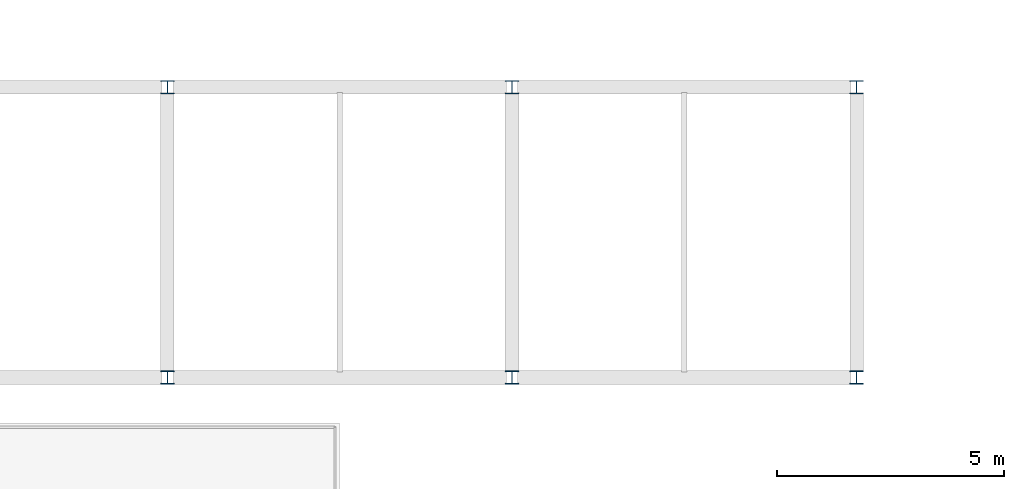
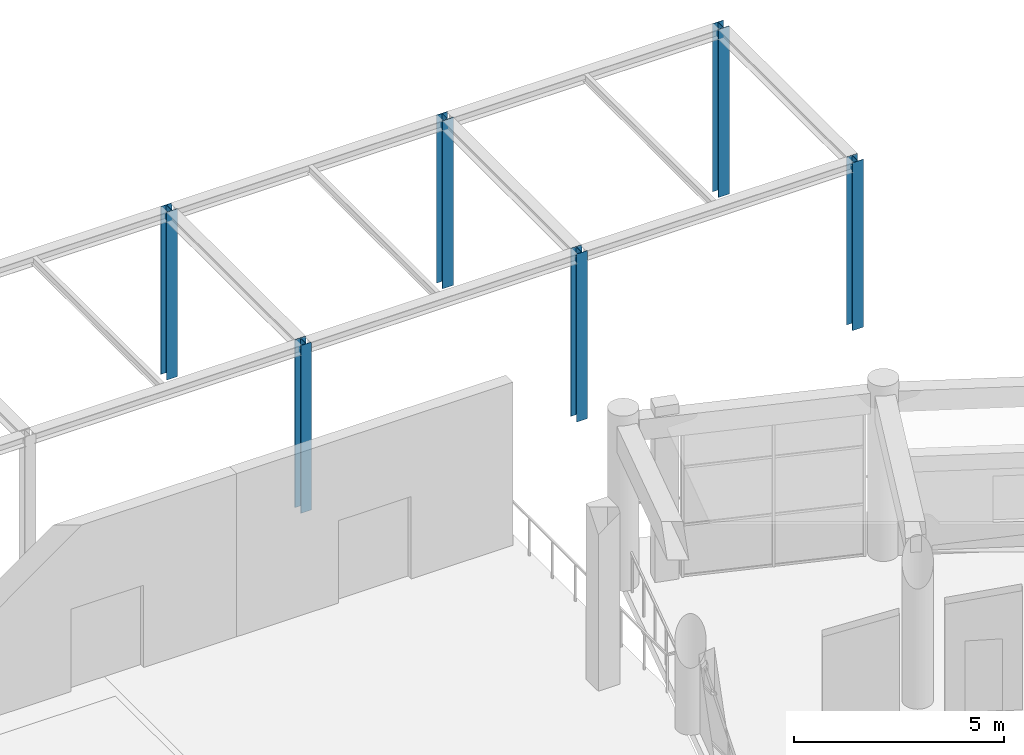
# One storey, part 18 of 99: 6 columns.
"""IFC4 building model written with IfcOpenShell, lengths in metres."""

from ifc_helpers import new_model, si_unit, direction, frame, origin, origin_2d, place, context, subcontext, project, spatial, i_section, extrude, material, material_profile, profile_set, type_object, element, save


model = new_model("IFC4")

# Units and contexts
model_context = context("Model", 3, precision=1e-05, world=origin(), true_north=direction((0.0, 1.0)))
body_context = subcontext(model_context, "Body", "Model", "MODEL_VIEW")
ifc_project = project(units=[si_unit("LENGTHUNIT", "METRE"), si_unit("AREAUNIT", "SQUARE_METRE"), si_unit("VOLUMEUNIT", "CUBIC_METRE"), si_unit("PLANEANGLEUNIT", "RADIAN"), si_unit("MASSUNIT", "GRAM", prefix="KILO")], contexts=[model_context])

# Site, building, storey
site_placement = place(None, origin())
site = spatial("IfcSite", under=ifc_project, at=site_placement, CompositionType="ELEMENT")
building_placement = place(site_placement, origin())
building = spatial("IfcBuilding", under=site, at=building_placement, Name="Saryqyr Civic Hall", CompositionType="ELEMENT")
storey_placement = place(building_placement, origin())
storey = spatial("IfcBuildingStorey", under=building, at=storey_placement, Name="L00", CompositionType="ELEMENT", Elevation=0.0)

# Columns
ifc_material = material(Name="Steel S355", Category="steel")
ifc_material_profile = material_profile(ifc_material, i_section(OverallWidth=0.300048828125, OverallDepth=0.2900390625, WebThickness=0.008544921875, FlangeThickness=0.013916015625, at=origin_2d()), Name="HEA 300")
ifc_profile_set = profile_set([ifc_material_profile], Name="Steel S355")
column_type = type_object("IfcColumnType", Name="STR-COL-HEA300-S355", PredefinedType="COLUMN", material=ifc_profile_set)
for number, where, z_axis, x_axis, name in (
    (1, (64.60009765625, 137.800048828125, 0.0), (0.0, 0.0, 1.0), (1.0, 0.0, 0.0), "Column V6A-COL-15-L00"),
    (2, (64.60009765625, 144.199951171875, 0.0), (0.0, 0.0, 1.0), (1.0, 0.0, 0.0), "Column V6A-COL-25-L00"),
    (3, (72.199951171875, 137.800048828125, 0.0), (0.0, 0.0, 1.0), (1.0, 0.0, 0.0), "Column V6A-COL-16-L00"),
    (4, (72.199951171875, 144.199951171875, 0.0), (0.0, 0.0, 1.0), (1.0, 0.0, 0.0), "Column V6A-COL-26-L00"),
    (5, (79.800048828125, 137.800048828125, 0.0), (0.0, 0.0, 1.0), (1.0, 0.0, 0.0), "Column V6A-COL-17-L00"),
    (6, (79.800048828125, 144.199951171875, 0.0), (0.0, 0.0, 1.0), (1.0, 0.0, 0.0), "Column V6A-COL-27-L00"),
):
    element("IfcColumn", number, at=place(storey_placement, frame(where, z_axis=z_axis, x_axis=x_axis)), inside=storey, type_object=column_type, Name=name, PredefinedType="COLUMN", context=body_context, shape_type="SweptSolid", body=[
        extrude(i_section(OverallWidth=0.300048828125, OverallDepth=0.2900390625, WebThickness=0.008544921875, FlangeThickness=0.013916015625, at=origin_2d()), origin(), (0.0, 0.0, 1.0), 4.889892578125),
    ])

save(model, "model.ifc")
